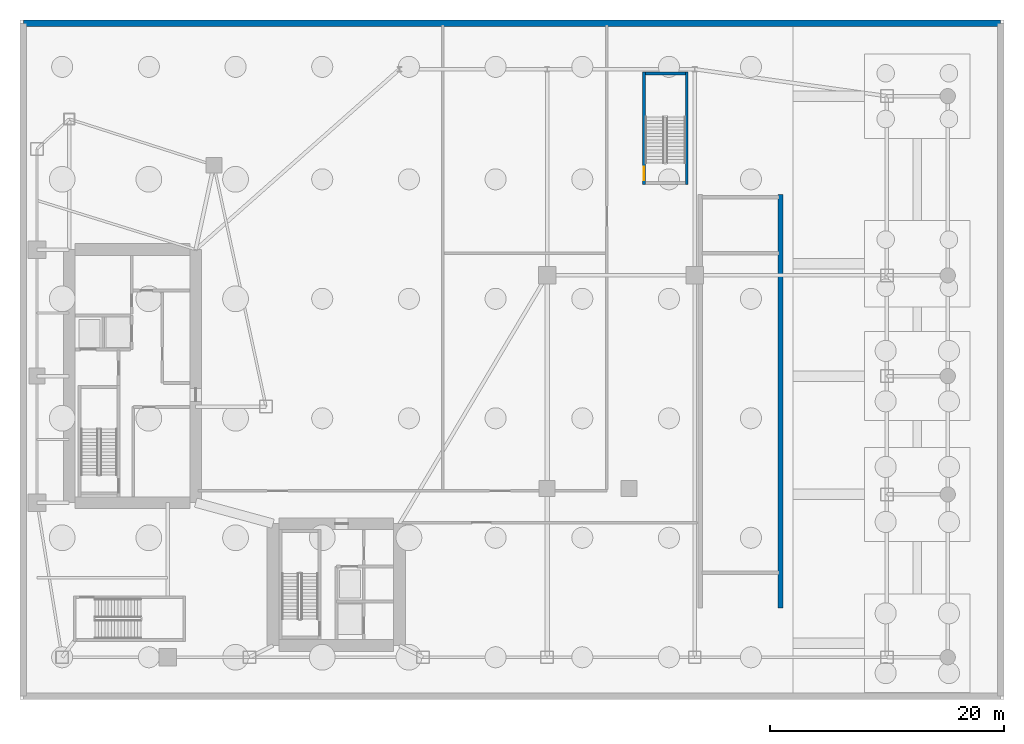
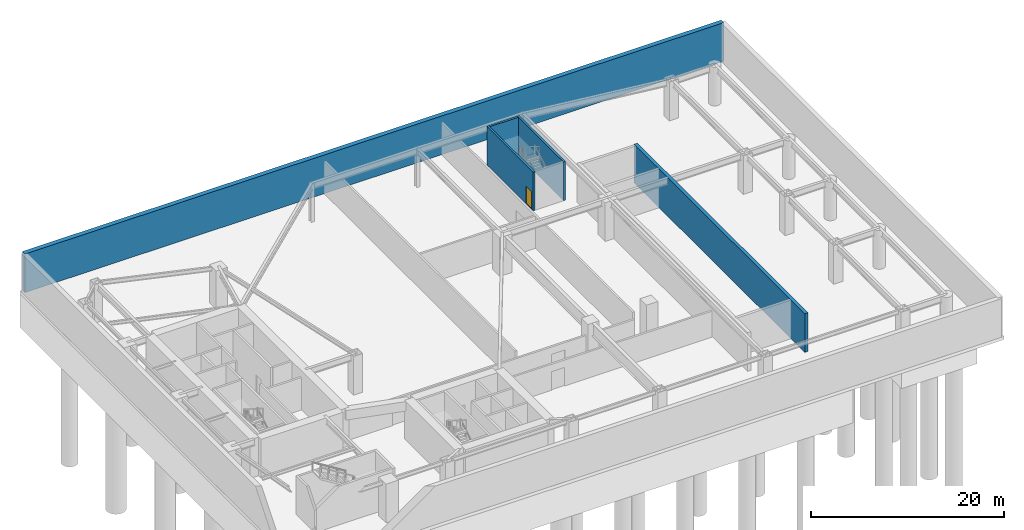
# One storey, part 8 of 12: 5 walls, 1 door, 1 opening.
"""IFC4 building model written with IfcOpenShell, lengths in metres."""

from ifc_helpers import new_model, si_unit, direction, frame, frame_2d, origin, place, context, subcontext, project, spatial, rectangle, extrude, material, layer, layer_set, type_object, element, fill, save


model = new_model("IFC4")

# Units and contexts
model_context = context("Model", 3, precision=1e-05, world=origin(), true_north=direction((0.0, 1.0)))
body_context = subcontext(model_context, "Body", "Model", "MODEL_VIEW")
ifc_project = project(units=[si_unit("LENGTHUNIT", "METRE"), si_unit("AREAUNIT", "SQUARE_METRE"), si_unit("VOLUMEUNIT", "CUBIC_METRE"), si_unit("PLANEANGLEUNIT", "RADIAN"), si_unit("MASSUNIT", "GRAM", prefix="KILO")], contexts=[model_context])

# Site, building, storey
site_placement = place(None, origin())
site = spatial("IfcSite", under=ifc_project, at=site_placement, CompositionType="ELEMENT")
building_placement = place(site_placement, origin())
building = spatial("IfcBuilding", under=site, at=building_placement, Name="Calvorn Quay Hotel", CompositionType="ELEMENT")
storey_placement = place(building_placement, frame((0.0, 0.0, -10.39990234375)))
storey = spatial("IfcBuildingStorey", under=building, at=storey_placement, Name="B2", CompositionType="ELEMENT", Elevation=-10.39990234375)

# Walls
ifc_material_1 = material(Name="Concrete C45", Category="concrete")
ifc_layer_1 = layer(ifc_material_1, 0.550048828125)
ifc_layer_set_1 = layer_set([ifc_layer_1], Name="WL-BSM-RET-550")
wall_type_1 = type_object("IfcWallType", Name="WL-BSM-RET-550", PredefinedType="USERDEFINED", material=ifc_layer_set_1)
wall_1_placement = place(storey_placement, frame((83.719970703125, 57.719970703125, 0.0), z_axis=(0.0, 0.0, 1.0), x_axis=(-1.0, 0.0, 0.0)))
element("IfcWall", 1, at=wall_1_placement, inside=storey, type_object=wall_type_1, Name="B2 Retaining Wall N", ObjectType="RETAINING", PredefinedType="USERDEFINED", context=body_context, shape_type="SweptSolid", body=[
    extrude(rectangle(XDim=83.43994140625, YDim=0.550048828125, at=frame_2d((41.719970703125, 0.0))), origin(), (0.0, 0.0, 1.0), 4.8798828125),
])
wall_2_placement = place(storey_placement, frame((64.919921875, 7.800048828125, 0.0), z_axis=(0.0, 0.0, 1.0), x_axis=(0.0, 1.0, 0.0)))
element("IfcWall", 2, at=wall_2_placement, inside=storey, type_object=wall_type_1, Name="Vehicle Ramp Cheek Wall B2-E", ObjectType="RETAINING", PredefinedType="USERDEFINED", context=body_context, shape_type="SweptSolid", body=[
    extrude(rectangle(XDim=35.300048828125, YDim=0.39990234375, at=frame_2d((17.64990234375, 0.0))), origin(), (0.0, 0.0, 1.0), 4.8798828125),
])

# Wall, opening, door
ifc_material_2 = material(Name="Concrete C40", Category="concrete")
ifc_layer_2 = layer(ifc_material_2, 0.239990234375)
ifc_layer_set_2 = layer_set([ifc_layer_2], Name="WL-SHAFT-240")
wall_type_2 = type_object("IfcWallType", Name="WL-SHAFT-240", PredefinedType="SOLIDWALL", material=ifc_layer_set_2)
wall_3_placement = place(storey_placement, frame((53.280029296875, 43.9599609375, 0.0), z_axis=(0.0, 0.0, 1.0), x_axis=(0.0, 1.0, 0.0)))
wall_3 = element("IfcWall", 3, at=wall_3_placement, inside=storey, type_object=wall_type_2, Name="Stair STP1 Shaft Wall W (B2)", PredefinedType="SOLIDWALL", context=body_context, shape_type="SweptSolid", body=[
    extrude(rectangle(XDim=9.580078125, YDim=0.239990234375, at=frame_2d((4.7900390625, 0.0))), origin(), (0.0, 0.0, 1.0), 4.8798828125),
])
opening_placement = place(wall_3_placement, frame((0.35009765625, 0.0, 0.0)))
opening = element("IfcOpeningElement", 4, at=opening_placement, cuts=wall_3, Name="Opening D-B2-STP1", PredefinedType="OPENING", context=body_context, shape_type="SweptSolid", body=[
    extrude(rectangle(XDim=1.14990234375, YDim=2.199951171875, at=frame_2d((0.574951171875, 1.10009765625))), frame((0.0, 0.1298828125, 0.0), z_axis=(0.0, -1.0, 0.0), x_axis=(1.0, 0.0, 0.0)), (0.0, 0.0, 1.0), 0.260009765625),
])
ifc_material_3 = material(Name="Galvanised Steel Class A Fire Door", Category="steel")
door_type = type_object("IfcDoorType", Name="DR-STAIR-SMOKE-1150", OperationType="NOTDEFINED", PredefinedType="DOOR", material=ifc_material_3)
door_placement = place(opening_placement, origin())
door = element("IfcDoor", 5, at=door_placement, inside=storey, type_object=door_type, Name="Podium Stair ST-P1 Fire Door (B2)", OperationType="SINGLE_SWING_LEFT", OverallHeight=2.199951171875, OverallWidth=1.14990234375, PredefinedType="DOOR", context=body_context, shape_type="SweptSolid", body=[
    extrude(rectangle(XDim=1.14990234375, YDim=2.199951171875, at=frame_2d((0.574951171875, 1.10009765625))), frame((0.0, 0.02490234375, 0.0), z_axis=(0.0, -1.0, 0.0), x_axis=(1.0, 0.0, 0.0)), (0.0, 0.0, 1.0), 0.050048828125),
])
fill(opening, door)

# Walls
wall_4_placement = place(storey_placement, frame((56.919921875, 43.9599609375, 0.0), z_axis=(0.0, 0.0, 1.0), x_axis=(0.0, 1.0, 0.0)))
element("IfcWall", 6, at=wall_4_placement, inside=storey, type_object=wall_type_2, Name="Stair STP1 Shaft Wall E (B2)", PredefinedType="SOLIDWALL", context=body_context, shape_type="SweptSolid", body=[
    extrude(rectangle(XDim=9.580078125, YDim=0.239990234375, at=frame_2d((4.7900390625, 0.0))), origin(), (0.0, 0.0, 1.0), 4.8798828125),
])
wall_5_placement = place(storey_placement, frame((53.39990234375, 53.419921875, 0.0), z_axis=(0.0, 0.0, 1.0), x_axis=(1.0, 0.0, 0.0)))
element("IfcWall", 7, at=wall_5_placement, inside=storey, type_object=wall_type_2, Name="Stair STP1 Shaft Wall N (B2)", PredefinedType="SOLIDWALL", context=body_context, shape_type="SweptSolid", body=[
    extrude(rectangle(XDim=3.400146484375, YDim=0.239990234375, at=frame_2d((1.7001953125, 0.0))), origin(), (0.0, 0.0, 1.0), 4.8798828125),
])

save(model, "model.ifc")
